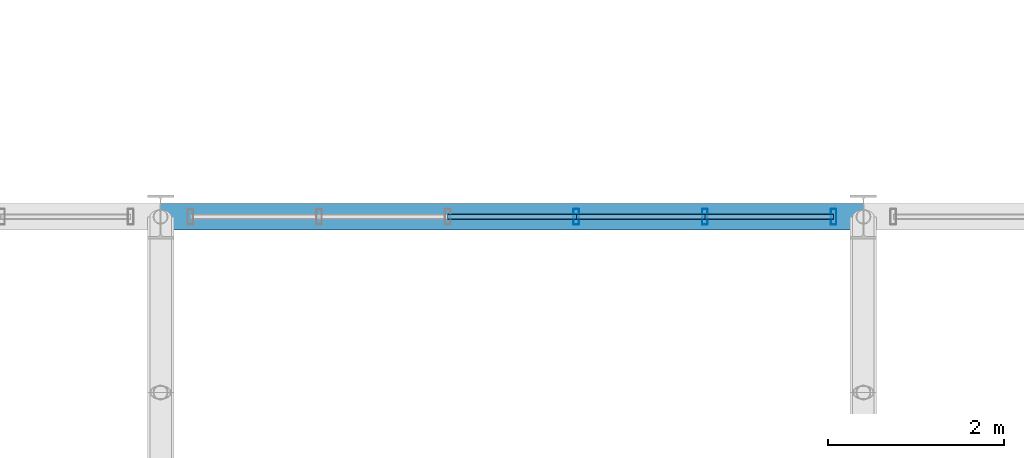
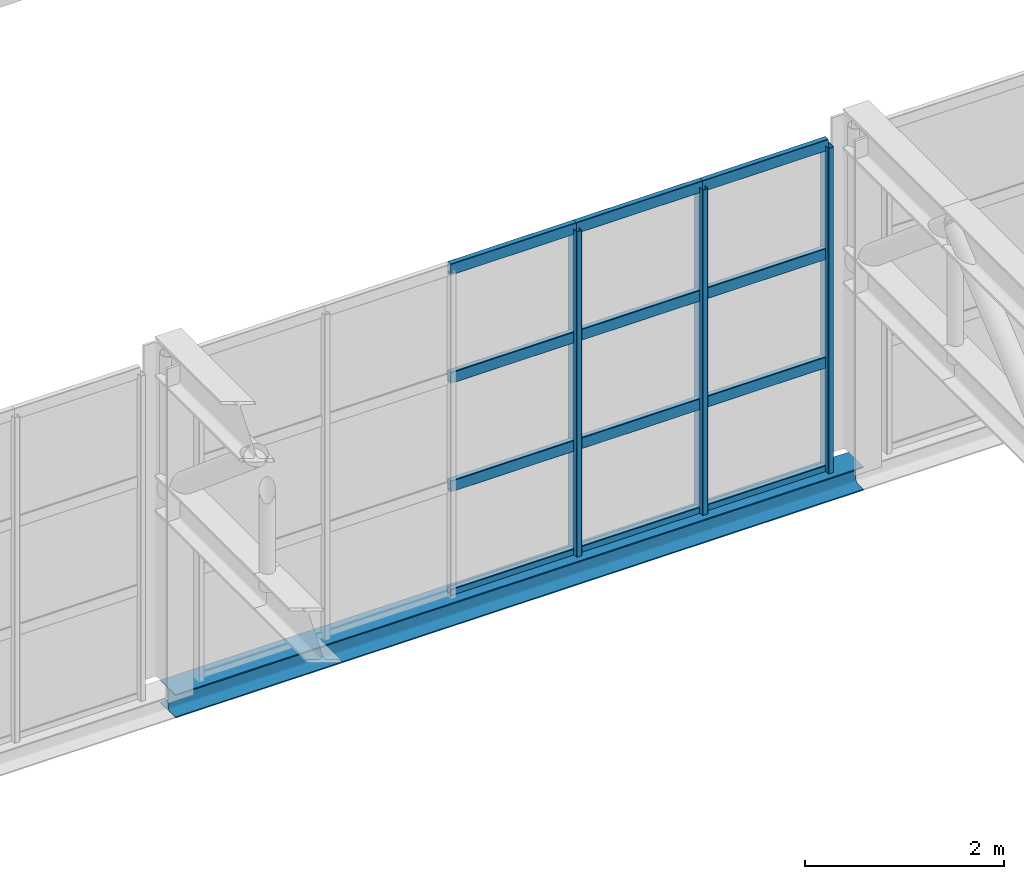
# One storey, part 37 of 67: 15 members, 1 beam, 1 element without a shape of its own.
"""IFC4 building model written with IfcOpenShell, lengths in metres."""

from ifc_helpers import new_model, si_unit, derived_unit, direction, frame, origin, origin_2d, place, context, subcontext, project, spatial, hollow_rectangle, i_section, extrude, material, material_profile, profile_set, type_object, element, aggregate, save


model = new_model("IFC4")

# Units and contexts
model_context = context("Model", 3, precision=1e-05, world=origin(), true_north=direction((0.0, 1.0)))
body_context = subcontext(model_context, "Body", "Model", "MODEL_VIEW")
ifc_project = project(units=[si_unit("LENGTHUNIT", "METRE"), si_unit("AREAUNIT", "SQUARE_METRE"), si_unit("VOLUMEUNIT", "CUBIC_METRE"), si_unit("PLANEANGLEUNIT", "RADIAN"), si_unit("MASSUNIT", "GRAM", prefix="KILO"), derived_unit("THERMALTRANSMITTANCEUNIT", [(si_unit("POWERUNIT", "WATT"), 1), (si_unit("LENGTHUNIT", "METRE"), -2), (si_unit("THERMODYNAMICTEMPERATUREUNIT", "KELVIN"), -1)])], contexts=[model_context])

# Site, building, storey
site_placement = place(None, origin())
site = spatial("IfcSite", under=ifc_project, at=site_placement, CompositionType="ELEMENT")
building_placement = place(site_placement, origin())
building = spatial("IfcBuilding", under=site, at=building_placement, Name="Keldorne Ridge Multi-Sports Centre", CompositionType="ELEMENT")
storey_placement = place(building_placement, frame((0.0, 0.0, 14.0)))
storey = spatial("IfcBuildingStorey", under=building, at=storey_placement, Name="L03", CompositionType="ELEMENT", Elevation=14.0)

# Beam
ifc_material_1 = material(Name="Steel S355", Category="steel")
ifc_material_profile_1 = material_profile(ifc_material_1, i_section(OverallWidth=0.300048828125, OverallDepth=0.2900390625, WebThickness=0.008544921875, FlangeThickness=0.013916015625, FilletRadius=0.027099609375, at=origin_2d()), Name="HEA 300")
ifc_profile_set_1 = profile_set([ifc_material_profile_1], Name="Steel S355")
beam_type = type_object("IfcBeamType", Name="BM-SP-04", PredefinedType="SPANDREL", material=ifc_profile_set_1)
beam_placement = place(storey_placement, frame((144.0, 54.0, -0.14990234375), z_axis=(1.0, 0.0, 0.0), x_axis=(0.0, 1.0, 0.0)))
element("IfcBeam", 1, at=beam_placement, inside=storey, type_object=beam_type, Name="Stacked Courts spandrel L03.54.6", PredefinedType="SPANDREL", context=body_context, shape_type="SweptSolid", body=[
    extrude(i_section(OverallWidth=0.300048828125, OverallDepth=0.2900390625, WebThickness=0.008544921875, FlangeThickness=0.013916015625, FilletRadius=0.027099609375, at=origin_2d()), origin(), (0.0, 0.0, 1.0), 8.0),
])

# Curtain wall, members
ifc_material_2 = material(Name="Anodized aluminium", Category="aluminium")
curtain_wall_type = type_object("IfcCurtainWallType", Name="CW-CW-04", PredefinedType="NOTDEFINED", material=ifc_material_2)
curtain_wall_placement = place(storey_placement, origin())
curtain_wall = element("IfcCurtainWall", 2, at=curtain_wall_placement, inside=storey, type_object=curtain_wall_type, Name="Upper Courts north clerestory 124", PredefinedType="NOTDEFINED")
ifc_material_profile_2 = material_profile(ifc_material_2, hollow_rectangle(XDim=0.06494140625, YDim=0.179931640625, WallThickness=0.00439453125, InnerFilletRadius=0.00439453125, OuterFilletRadius=0.009033203125, at=origin_2d()), Name="ALU MULLION 180x65x4.5")
ifc_profile_set_2 = profile_set([ifc_material_profile_2], Name="Anodized aluminium")
member_type_1 = type_object("IfcMemberType", Name="MEM-ML-01", PredefinedType="MULLION", material=ifc_profile_set_2)
member_1_placement = place(storey_placement, frame((151.659912109375, 54.0, 0.0), z_axis=(0.0, 0.0, 1.0), x_axis=(1.0, 0.0, 0.0)))
member_1 = element("IfcMember", 3, at=member_1_placement, type_object=member_type_1, Name="CW-124 vertical mullion 1", PredefinedType="MULLION", context=body_context, shape_type="SweptSolid", body=[
    extrude(hollow_rectangle(XDim=0.06494140625, YDim=0.179931640625, WallThickness=0.00439453125, InnerFilletRadius=0.00439453125, OuterFilletRadius=0.009033203125, at=origin_2d()), origin(), (0.0, 0.0, 1.0), 4.0),
])
member_2_placement = place(storey_placement, frame((150.196044921875, 54.0, 0.0), z_axis=(0.0, 0.0, 1.0), x_axis=(1.0, 0.0, 0.0)))
member_2 = element("IfcMember", 4, at=member_2_placement, type_object=member_type_1, Name="CW-124 vertical mullion 2", PredefinedType="MULLION", context=body_context, shape_type="SweptSolid", body=[
    extrude(hollow_rectangle(XDim=0.06494140625, YDim=0.179931640625, WallThickness=0.00439453125, InnerFilletRadius=0.00439453125, OuterFilletRadius=0.009033203125, at=origin_2d()), origin(), (0.0, 0.0, 1.0), 4.0),
])
member_3_placement = place(storey_placement, frame((148.73193359375, 54.0, 0.0), z_axis=(0.0, 0.0, 1.0), x_axis=(1.0, 0.0, 0.0)))
member_3 = element("IfcMember", 5, at=member_3_placement, type_object=member_type_1, Name="CW-124 vertical mullion 3", PredefinedType="MULLION", context=body_context, shape_type="SweptSolid", body=[
    extrude(hollow_rectangle(XDim=0.06494140625, YDim=0.179931640625, WallThickness=0.00439453125, InnerFilletRadius=0.00439453125, OuterFilletRadius=0.009033203125, at=origin_2d()), origin(), (0.0, 0.0, 1.0), 4.0),
])
ifc_material_profile_3 = material_profile(ifc_material_2, hollow_rectangle(XDim=0.06494140625, YDim=0.139892578125, WallThickness=0.00439453125, InnerFilletRadius=0.00439453125, OuterFilletRadius=0.009033203125, at=origin_2d()), Name="ALU TRANSOM 140x65x4.5")
ifc_profile_set_3 = profile_set([ifc_material_profile_3], Name="Anodized aluminium")
member_type_2 = type_object("IfcMemberType", Name="MEM-TR-01", PredefinedType="USERDEFINED", material=ifc_profile_set_3)
member_4_placement = place(storey_placement, frame((151.659912109375, 54.0, 0.0), z_axis=(-1.0, 0.0, 0.0), x_axis=(0.0, -1.0, 0.0)))
member_4 = element("IfcMember", 6, at=member_4_placement, type_object=member_type_2, Name="CW-124 transom 1.1", ObjectType="TRANSOM", PredefinedType="USERDEFINED", context=body_context, shape_type="SweptSolid", body=[
    extrude(hollow_rectangle(XDim=0.06494140625, YDim=0.139892578125, WallThickness=0.00439453125, InnerFilletRadius=0.00439453125, OuterFilletRadius=0.009033203125, at=origin_2d()), origin(), (0.0, 0.0, 1.0), 1.4638671875),
])
member_5_placement = place(storey_placement, frame((151.659912109375, 54.0, 1.333251953125), z_axis=(-1.0, 0.0, 0.0), x_axis=(0.0, -1.0, 0.0)))
member_5 = element("IfcMember", 7, at=member_5_placement, type_object=member_type_2, Name="CW-124 transom 1.2", ObjectType="TRANSOM", PredefinedType="USERDEFINED", context=body_context, shape_type="SweptSolid", body=[
    extrude(hollow_rectangle(XDim=0.06494140625, YDim=0.139892578125, WallThickness=0.00439453125, InnerFilletRadius=0.00439453125, OuterFilletRadius=0.009033203125, at=origin_2d()), origin(), (0.0, 0.0, 1.0), 1.4638671875),
])
member_6_placement = place(storey_placement, frame((151.659912109375, 54.0, 2.666748046875), z_axis=(-1.0, 0.0, 0.0), x_axis=(0.0, -1.0, 0.0)))
member_6 = element("IfcMember", 8, at=member_6_placement, type_object=member_type_2, Name="CW-124 transom 1.3", ObjectType="TRANSOM", PredefinedType="USERDEFINED", context=body_context, shape_type="SweptSolid", body=[
    extrude(hollow_rectangle(XDim=0.06494140625, YDim=0.139892578125, WallThickness=0.00439453125, InnerFilletRadius=0.00439453125, OuterFilletRadius=0.009033203125, at=origin_2d()), origin(), (0.0, 0.0, 1.0), 1.4638671875),
])
member_7_placement = place(storey_placement, frame((151.659912109375, 54.0, 4.0), z_axis=(-1.0, 0.0, 0.0), x_axis=(0.0, -1.0, 0.0)))
member_7 = element("IfcMember", 9, at=member_7_placement, type_object=member_type_2, Name="CW-124 transom 1.4", ObjectType="TRANSOM", PredefinedType="USERDEFINED", context=body_context, shape_type="SweptSolid", body=[
    extrude(hollow_rectangle(XDim=0.06494140625, YDim=0.139892578125, WallThickness=0.00439453125, InnerFilletRadius=0.00439453125, OuterFilletRadius=0.009033203125, at=origin_2d()), origin(), (0.0, 0.0, 1.0), 1.4638671875),
])
member_8_placement = place(storey_placement, frame((150.196044921875, 54.0, 0.0), z_axis=(-1.0, 0.0, 0.0), x_axis=(0.0, -1.0, 0.0)))
member_8 = element("IfcMember", 10, at=member_8_placement, type_object=member_type_2, Name="CW-124 transom 2.1", ObjectType="TRANSOM", PredefinedType="USERDEFINED", context=body_context, shape_type="SweptSolid", body=[
    extrude(hollow_rectangle(XDim=0.06494140625, YDim=0.139892578125, WallThickness=0.00439453125, InnerFilletRadius=0.00439453125, OuterFilletRadius=0.009033203125, at=origin_2d()), origin(), (0.0, 0.0, 1.0), 1.464111328125),
])
member_9_placement = place(storey_placement, frame((150.196044921875, 54.0, 1.333251953125), z_axis=(-1.0, 0.0, 0.0), x_axis=(0.0, -1.0, 0.0)))
member_9 = element("IfcMember", 11, at=member_9_placement, type_object=member_type_2, Name="CW-124 transom 2.2", ObjectType="TRANSOM", PredefinedType="USERDEFINED", context=body_context, shape_type="SweptSolid", body=[
    extrude(hollow_rectangle(XDim=0.06494140625, YDim=0.139892578125, WallThickness=0.00439453125, InnerFilletRadius=0.00439453125, OuterFilletRadius=0.009033203125, at=origin_2d()), origin(), (0.0, 0.0, 1.0), 1.464111328125),
])
member_10_placement = place(storey_placement, frame((150.196044921875, 54.0, 2.666748046875), z_axis=(-1.0, 0.0, 0.0), x_axis=(0.0, -1.0, 0.0)))
member_10 = element("IfcMember", 12, at=member_10_placement, type_object=member_type_2, Name="CW-124 transom 2.3", ObjectType="TRANSOM", PredefinedType="USERDEFINED", context=body_context, shape_type="SweptSolid", body=[
    extrude(hollow_rectangle(XDim=0.06494140625, YDim=0.139892578125, WallThickness=0.00439453125, InnerFilletRadius=0.00439453125, OuterFilletRadius=0.009033203125, at=origin_2d()), origin(), (0.0, 0.0, 1.0), 1.464111328125),
])
member_11_placement = place(storey_placement, frame((150.196044921875, 54.0, 4.0), z_axis=(-1.0, 0.0, 0.0), x_axis=(0.0, -1.0, 0.0)))
member_11 = element("IfcMember", 13, at=member_11_placement, type_object=member_type_2, Name="CW-124 transom 2.4", ObjectType="TRANSOM", PredefinedType="USERDEFINED", context=body_context, shape_type="SweptSolid", body=[
    extrude(hollow_rectangle(XDim=0.06494140625, YDim=0.139892578125, WallThickness=0.00439453125, InnerFilletRadius=0.00439453125, OuterFilletRadius=0.009033203125, at=origin_2d()), origin(), (0.0, 0.0, 1.0), 1.464111328125),
])
member_12_placement = place(storey_placement, frame((148.73193359375, 54.0, 0.0), z_axis=(-1.0, 0.0, 0.0), x_axis=(0.0, -1.0, 0.0)))
member_12 = element("IfcMember", 14, at=member_12_placement, type_object=member_type_2, Name="CW-124 transom 3.1", ObjectType="TRANSOM", PredefinedType="USERDEFINED", context=body_context, shape_type="SweptSolid", body=[
    extrude(hollow_rectangle(XDim=0.06494140625, YDim=0.139892578125, WallThickness=0.00439453125, InnerFilletRadius=0.00439453125, OuterFilletRadius=0.009033203125, at=origin_2d()), origin(), (0.0, 0.0, 1.0), 1.4638671875),
])
member_13_placement = place(storey_placement, frame((148.73193359375, 54.0, 1.333251953125), z_axis=(-1.0, 0.0, 0.0), x_axis=(0.0, -1.0, 0.0)))
member_13 = element("IfcMember", 15, at=member_13_placement, type_object=member_type_2, Name="CW-124 transom 3.2", ObjectType="TRANSOM", PredefinedType="USERDEFINED", context=body_context, shape_type="SweptSolid", body=[
    extrude(hollow_rectangle(XDim=0.06494140625, YDim=0.139892578125, WallThickness=0.00439453125, InnerFilletRadius=0.00439453125, OuterFilletRadius=0.009033203125, at=origin_2d()), origin(), (0.0, 0.0, 1.0), 1.4638671875),
])
member_14_placement = place(storey_placement, frame((148.73193359375, 54.0, 2.666748046875), z_axis=(-1.0, 0.0, 0.0), x_axis=(0.0, -1.0, 0.0)))
member_14 = element("IfcMember", 16, at=member_14_placement, type_object=member_type_2, Name="CW-124 transom 3.3", ObjectType="TRANSOM", PredefinedType="USERDEFINED", context=body_context, shape_type="SweptSolid", body=[
    extrude(hollow_rectangle(XDim=0.06494140625, YDim=0.139892578125, WallThickness=0.00439453125, InnerFilletRadius=0.00439453125, OuterFilletRadius=0.009033203125, at=origin_2d()), origin(), (0.0, 0.0, 1.0), 1.4638671875),
])
member_15_placement = place(storey_placement, frame((148.73193359375, 54.0, 4.0), z_axis=(-1.0, 0.0, 0.0), x_axis=(0.0, -1.0, 0.0)))
member_15 = element("IfcMember", 17, at=member_15_placement, type_object=member_type_2, Name="CW-124 transom 3.4", ObjectType="TRANSOM", PredefinedType="USERDEFINED", context=body_context, shape_type="SweptSolid", body=[
    extrude(hollow_rectangle(XDim=0.06494140625, YDim=0.139892578125, WallThickness=0.00439453125, InnerFilletRadius=0.00439453125, OuterFilletRadius=0.009033203125, at=origin_2d()), origin(), (0.0, 0.0, 1.0), 1.4638671875),
])
aggregate(curtain_wall, [member_1, member_2, member_3, member_4, member_5, member_6, member_7, member_8, member_9, member_10, member_11, member_12, member_13, member_14, member_15])

save(model, "model.ifc")
